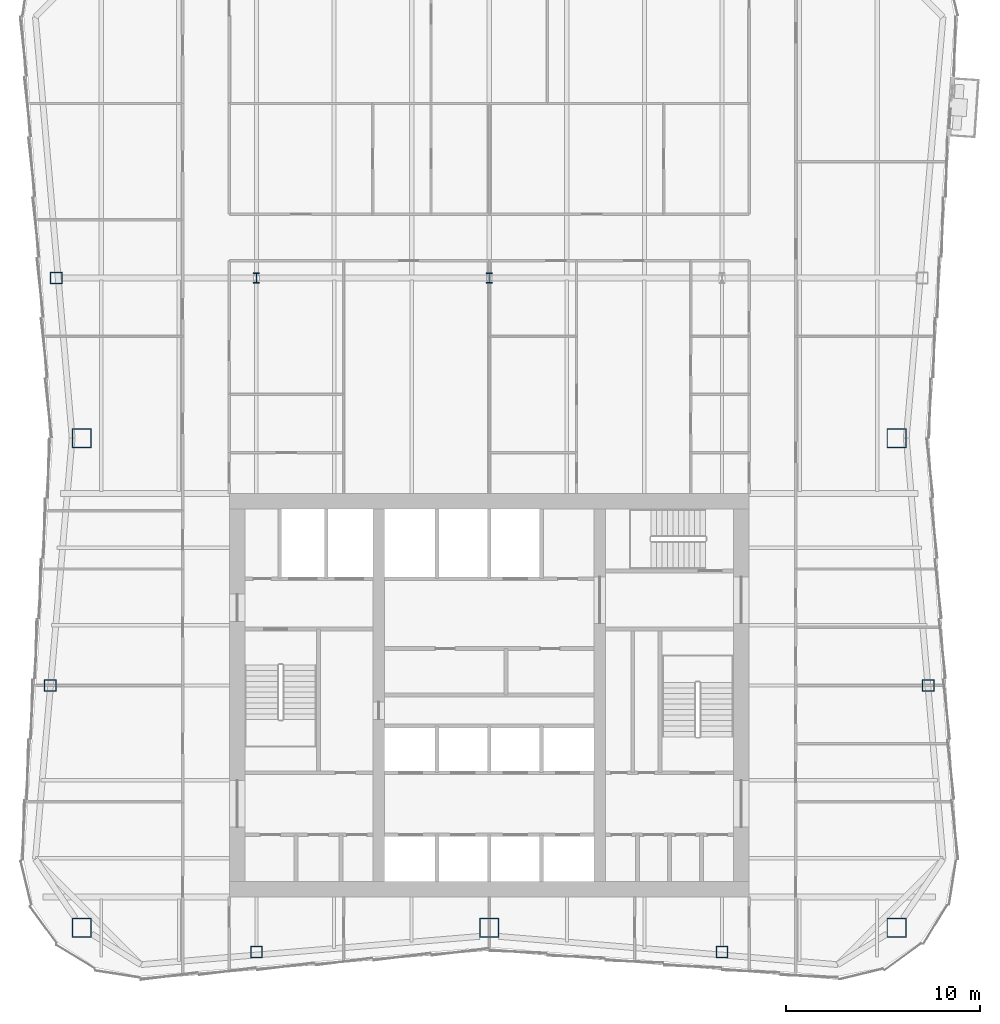
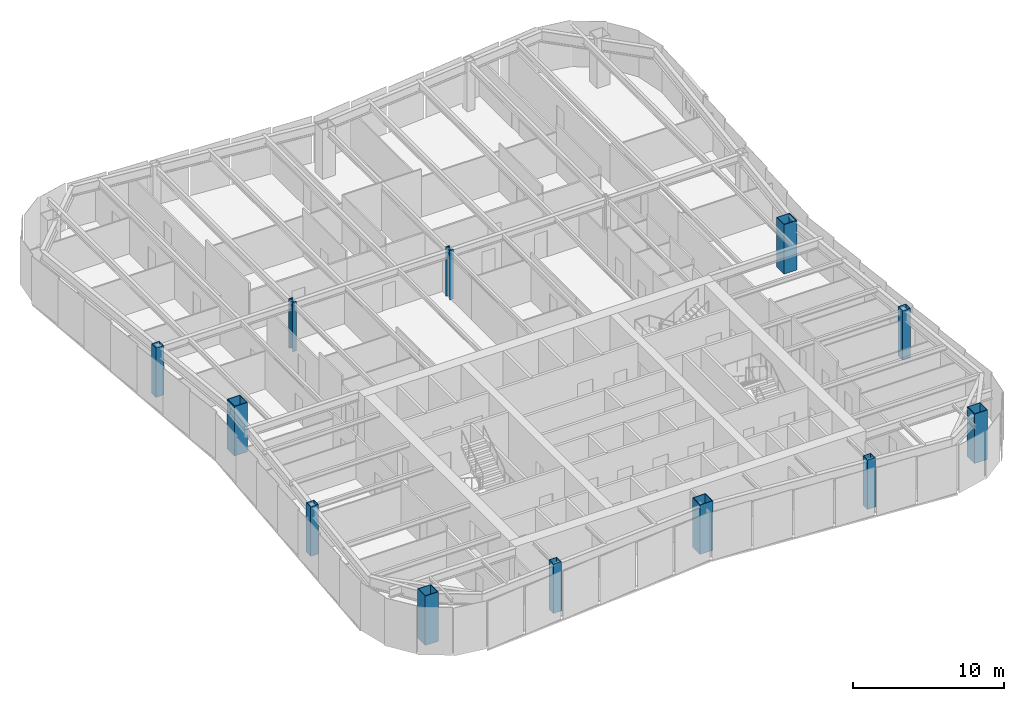
# One storey, part 1 of 12: 12 columns.
"""IFC4 building model written with IfcOpenShell, lengths in metres."""

import ifcopenshell
import ifcopenshell.guid

model = None  # the IFC model being written
_history = None  # IfcOwnerHistory: only IFC2X3 demands one
_inside = {}  # id of a spatial element -> (the spatial element, [elements in it])
_under = {}  # id of a project, library or spatial element -> (it, [spatial elements below it])
_declared = {}  # id of a project -> (the project, [libraries it declares])
_typed = {}  # id of a type object -> (the type object, [elements of that type])
_made_of = {}  # id of a material, layer set ... -> (it, [elements and type objects made of it])


def new_model(schema):
    """Start an empty IFC model of exactly this schema.

    Asked for "IFC4X3", IfcOpenShell would pick the latest addendum, in which some entities
    have other attributes; the version numbers below select the first issue.
    IFC2X3 requires an IfcOwnerHistory on every rooted entity: one is made here for all.
    """
    global model, _history
    if schema == "IFC4X3":
        model = ifcopenshell.file(schema_version=(4, 3, 0, 0))
    else:
        model = ifcopenshell.file(schema=schema)
    _inside.clear()
    _under.clear()
    _declared.clear()
    _typed.clear()
    _made_of.clear()
    _history = None
    if model.schema == "IFC2X3":
        org = make("IfcOrganization", Name="unknown")
        user = make(
            "IfcPersonAndOrganization",
            ThePerson=make("IfcPerson", FamilyName="unknown"),
            TheOrganization=org,
        )
        app = make(
            "IfcApplication",
            ApplicationDeveloper=org,
            Version="unknown",
            ApplicationFullName="unknown",
            ApplicationIdentifier="unknown",
        )
        _history = make(
            "IfcOwnerHistory",
            OwningUser=user,
            OwningApplication=app,
            ChangeAction="ADDED",
            CreationDate=0,
        )
    return model


def make(cls, **values):
    """One entity of the class cls with the attributes given. An attribute that is None is left unset."""
    return model.create_entity(
        cls, **{name: value for name, value in values.items() if value is not None}
    )


def rooted(cls, **values):
    """An entity with a GlobalId (a new one), such as an element, a storey or a relation."""
    return make(cls, GlobalId=ifcopenshell.guid.new(), OwnerHistory=_history, **values)


def si_unit(unit_type, name, prefix=None):
    """IfcSIUnit, for example si_unit("LENGTHUNIT", "METRE", prefix="MILLI")."""
    return make("IfcSIUnit", UnitType=unit_type, Prefix=prefix, Name=name)


def assignment(units):
    """IfcUnitAssignment: the units of a project."""
    return None if units is None else make("IfcUnitAssignment", Units=units)


def point(xyz):
    """IfcCartesianPoint."""
    return None if xyz is None else make("IfcCartesianPoint", Coordinates=xyz)


def direction(xyz):
    """IfcDirection."""
    return None if xyz is None else make("IfcDirection", DirectionRatios=xyz)


def frame(location, z_axis=None, x_axis=None):
    """IfcAxis2Placement3D, a coordinate frame: its origin and axes. An axis left out is left unset."""
    return make(
        "IfcAxis2Placement3D",
        Location=point(location),
        Axis=direction(z_axis),
        RefDirection=direction(x_axis),
    )


def frame_2d(location, x_axis=None):
    """IfcAxis2Placement2D, a coordinate frame in the plane: its origin and x axis."""
    return make(
        "IfcAxis2Placement2D", Location=point(location), RefDirection=direction(x_axis)
    )


def origin():
    """The frame at (0, 0, 0) with its axes left unset."""
    return frame((0.0, 0.0, 0.0))


def origin_2d():
    """The frame at (0, 0) in the plane with its x axis left unset."""
    return frame_2d((0.0, 0.0))


def place(relative_to, where):
    """IfcLocalPlacement: puts the frame where relative to a parent placement (None: the world)."""
    return make(
        "IfcLocalPlacement", PlacementRelTo=relative_to, RelativePlacement=where
    )


def context(
    kind, dimensions, precision=None, world=None, true_north=None, identifier=None
):
    """IfcGeometricRepresentationContext, for example the 3D "Model" context."""
    return make(
        "IfcGeometricRepresentationContext",
        ContextIdentifier=identifier,
        ContextType=kind,
        CoordinateSpaceDimension=dimensions,
        Precision=precision,
        WorldCoordinateSystem=world,
        TrueNorth=true_north,
    )


def subcontext(parent, identifier, kind, view, scale=None):
    """IfcGeometricRepresentationSubContext, for example "Body" below "Model"."""
    return make(
        "IfcGeometricRepresentationSubContext",
        ContextIdentifier=identifier,
        ContextType=kind,
        ParentContext=parent,
        TargetScale=scale,
        TargetView=view,
    )


def project(units=None, contexts=None):
    """IfcProject with its units and contexts."""
    return rooted(
        "IfcProject",
        Name="project",
        RepresentationContexts=contexts,
        UnitsInContext=assignment(units),
    )


def spatial(cls, under=None, at=None, **own):
    """A site, building, storey or space (cls), placed at a placement, below another one or the project."""
    s = rooted(cls, ObjectPlacement=at, **own)
    if under is not None:
        _under.setdefault(under.id(), (under, []))[1].append(s)
    return s


def profile(cls, at=None, kind="AREA", **sizes):
    """A parametric profile (cls). Its sizes go by their IFC names, for example OverallWidth=200.0."""
    return make(cls, ProfileType=kind, Position=at, **sizes)


def hollow_rectangle(**sizes):
    """IfcRectangleHollowProfileDef."""
    return profile("IfcRectangleHollowProfileDef", **sizes)


def i_section(**sizes):
    """IfcIShapeProfileDef."""
    return profile("IfcIShapeProfileDef", **sizes)


def extrude(swept, where, along, depth):
    """IfcExtrudedAreaSolid: the profile swept, set in the frame where, extruded along a direction by depth."""
    return make(
        "IfcExtrudedAreaSolid",
        SweptArea=swept,
        Position=where,
        ExtrudedDirection=direction(along),
        Depth=depth,
    )


def shape(context_of_items, identifier, shape_type, items):
    """IfcShapeRepresentation: the items that make up one representation, for example the "Body"."""
    return make(
        "IfcShapeRepresentation",
        ContextOfItems=context_of_items,
        RepresentationIdentifier=identifier,
        RepresentationType=shape_type,
        Items=items,
    )


def material(Name=None, Category=None):
    """IfcMaterial."""
    return make("IfcMaterial", Name=Name, Category=Category)


def material_profile(
    of_material, cross_section, Name=None, Category=None, Priority=None
):
    """IfcMaterialProfile: a cross section and its material."""
    return make(
        "IfcMaterialProfile",
        Name=Name,
        Material=of_material,
        Profile=cross_section,
        Priority=Priority,
        Category=Category,
    )


def profile_set(profiles, Name=None, composite=None):
    """IfcMaterialProfileSet."""
    return make(
        "IfcMaterialProfileSet",
        Name=Name,
        MaterialProfiles=profiles,
        CompositeProfile=composite,
    )


def made_of(thing, what):
    """Note that an element or type object is made of a material, layer set ...; save() writes the relation."""
    if what is not None:
        _made_of.setdefault(what.id(), (what, []))[1].append(thing)
    return thing


def type_object(cls, material=None, **own):
    """A type object (cls), such as IfcWallType, which elements share."""
    return made_of(rooted(cls, **own), material)


def element(
    cls,
    number,
    at=None,
    inside=None,
    cuts=None,
    type_object=None,
    material=None,
    context=None,
    identifier="Body",
    shape_type=None,
    held_by="IfcProductDefinitionShape",
    body=None,
    shapes=None,
    **own,
):
    """One element of the class cls, such as IfcWall. Its Tag is "e" and its number.

    at: its placement. inside: the storey or other place that contains it. cuts: it is an
    opening in that element (IfcRelVoidsElement). A single representation is given by context,
    identifier, shape_type and body (its items); several are given by shapes. held_by: the class
    of the entity that holds the representations. save() writes the other relations.
    """
    e = rooted(cls, Tag="e%d" % number, ObjectPlacement=at, **own)
    if body is not None:
        shapes = [shape(context, identifier, shape_type, body)]
    if shapes is not None:
        e.Representation = make(held_by, Representations=shapes)
    if inside is not None:
        _inside.setdefault(inside.id(), (inside, []))[1].append(e)
    if cuts is not None:
        rooted(
            "IfcRelVoidsElement", RelatingBuildingElement=cuts, RelatedOpeningElement=e
        )
    if type_object is not None:
        _typed.setdefault(type_object.id(), (type_object, []))[1].append(e)
    return made_of(e, material)


def aggregate(whole, parts):
    """IfcRelAggregates: a whole, such as a stair, and the parts it consists of."""
    return rooted("IfcRelAggregates", RelatingObject=whole, RelatedObjects=parts)


def save(model, path):
    """Write the relations noted so far, then the file.

    IfcRelAggregates (storeys below a building ...), IfcRelContainedInSpatialStructure (elements
    in a storey), IfcRelDefinesByType, IfcRelAssociatesMaterial and IfcRelDeclares: one each for
    every whole, place, type object, material and project.
    """
    for whole, parts in _under.values():
        aggregate(whole, parts)
    for where, things in _inside.values():
        rooted(
            "IfcRelContainedInSpatialStructure",
            RelatedElements=things,
            RelatingStructure=where,
        )
    for kind, things in _typed.values():
        rooted("IfcRelDefinesByType", RelatedObjects=things, RelatingType=kind)
    for what, things in _made_of.values():
        rooted("IfcRelAssociatesMaterial", RelatedObjects=things, RelatingMaterial=what)
    for by, libraries in _declared.values():
        rooted("IfcRelDeclares", RelatingContext=by, RelatedDefinitions=libraries)
    model.write(path)


model = new_model("IFC4")

# Units and contexts
model_context = context("Model", 3, precision=1e-05, world=origin(), true_north=direction((0.0, 1.0)))
body_context = subcontext(model_context, "Body", "Model", "MODEL_VIEW")
ifc_project = project(units=[si_unit("LENGTHUNIT", "METRE"), si_unit("AREAUNIT", "SQUARE_METRE"), si_unit("VOLUMEUNIT", "CUBIC_METRE"), si_unit("PLANEANGLEUNIT", "RADIAN"), si_unit("MASSUNIT", "GRAM", prefix="KILO")], contexts=[model_context])

# Site, building, storey
site_placement = place(None, origin())
site = spatial("IfcSite", under=ifc_project, at=site_placement, CompositionType="ELEMENT")
building_placement = place(site_placement, origin())
building = spatial("IfcBuilding", under=site, at=building_placement, Name="Verdant Reach Tower", CompositionType="ELEMENT")
storey_placement = place(building_placement, frame((0.0, 0.0, 266.0)))
storey = spatial("IfcBuildingStorey", under=building, at=storey_placement, Name="L61", CompositionType="ELEMENT", Elevation=266.0)

# Columns
ifc_material = material(Name="Steel S460", Category="steel")
ifc_material_profile_1 = material_profile(ifc_material, i_section(OverallWidth=0.305908203125, OverallDepth=0.52392578125, WebThickness=0.012451171875, FlangeThickness=0.0400390625, FilletRadius=0.027099609375, at=origin_2d()), Name="HEM 500")
ifc_profile_set_1 = profile_set([ifc_material_profile_1], Name="Steel S460")
column_type_1 = type_object("IfcColumnType", Name="ST-COL-HEM500", PredefinedType="COLUMN", material=ifc_profile_set_1)
for number, where, z_axis, x_axis, name in (
    (1, (-12.0, 49.5, 0.0), (0.0, 0.0, 1.0), (1.0, 0.0, 0.0), "Interior column 1, L61"),
    (2, (0.0, 49.5, 0.0), (0.0, 0.0, 1.0), (1.0, 0.0, 0.0), "Interior column 2, L61"),
):
    element("IfcColumn", number, at=place(storey_placement, frame(where, z_axis=z_axis, x_axis=x_axis)), inside=storey, type_object=column_type_1, Name=name, PredefinedType="COLUMN", context=body_context, shape_type="SweptSolid", body=[
        extrude(i_section(OverallWidth=0.305908203125, OverallDepth=0.52392578125, WebThickness=0.012451171875, FlangeThickness=0.0400390625, FilletRadius=0.027099609375, at=origin_2d()), origin(), (0.0, 0.0, 1.0), 4.0),
    ])
ifc_material_profile_2 = material_profile(ifc_material, hollow_rectangle(XDim=1.0, YDim=1.0, WallThickness=0.044921875, at=origin_2d()), Name="WB 1000x1000x45")
ifc_profile_set_2 = profile_set([ifc_material_profile_2], Name="Steel S460")
column_type_2 = type_object("IfcColumnType", Name="ST-COL-WB1000x1000x45", PredefinedType="COLUMN", material=ifc_profile_set_2)
for number, where, z_axis, x_axis, name in (
    (3, (21.0, 41.25, 0.0), (0.0, 0.0, 1.0), (1.0, 0.0, 0.0), "Mega column east, L61"),
    (4, (21.0, 16.0, 0.0), (0.0, 0.0, 1.0), (1.0, 0.0, 0.0), "Mega column south-east, L61"),
    (5, (0.0, 16.0, 0.0), (0.0, 0.0, 1.0), (1.0, 0.0, 0.0), "Mega column south, L61"),
    (6, (-21.0, 16.0, 0.0), (0.0, 0.0, 1.0), (1.0, 0.0, 0.0), "Mega column south-west, L61"),
    (7, (-21.0, 41.25, 0.0), (0.0, 0.0, 1.0), (1.0, 0.0, 0.0), "Mega column west, L61"),
):
    element("IfcColumn", number, at=place(storey_placement, frame(where, z_axis=z_axis, x_axis=x_axis)), inside=storey, type_object=column_type_2, Name=name, PredefinedType="COLUMN", context=body_context, shape_type="SweptSolid", body=[
        extrude(hollow_rectangle(XDim=1.0, YDim=1.0, WallThickness=0.044921875, at=origin_2d()), origin(), (0.0, 0.0, 1.0), 4.0),
    ])
ifc_material_profile_3 = material_profile(ifc_material, hollow_rectangle(XDim=0.60009765625, YDim=0.60009765625, WallThickness=0.02490234375, at=origin_2d()), Name="WB 600x600x25")
ifc_profile_set_3 = profile_set([ifc_material_profile_3], Name="Steel S460")
column_type_3 = type_object("IfcColumnType", Name="ST-COL-WB600x600x25", PredefinedType="COLUMN", material=ifc_profile_set_3)
for number, where, z_axis, x_axis, name in (
    (8, (-12.0, 14.75, 0.0), (0.0, 0.0, 1.0), (1.0, 0.0, 0.0), "Perimeter column south 1, L61"),
    (9, (12.0, 14.75, 0.0), (0.0, 0.0, 1.0), (1.0, 0.0, 0.0), "Perimeter column south 2, L61"),
    (10, (22.62939453125, 28.5, 0.0), (0.0, 0.0, 1.0), (1.0, 0.0, 0.0), "Perimeter column east 1, L61"),
    (11, (-22.62939453125, 28.5, 0.0), (0.0, 0.0, 1.0), (1.0, 0.0, 0.0), "Perimeter column west 1, L61"),
    (12, (-22.319091796875, 49.5, 0.0), (0.0, 0.0, 1.0), (1.0, 0.0, 0.0), "Perimeter column west 2, L61"),
):
    element("IfcColumn", number, at=place(storey_placement, frame(where, z_axis=z_axis, x_axis=x_axis)), inside=storey, type_object=column_type_3, Name=name, PredefinedType="COLUMN", context=body_context, shape_type="SweptSolid", body=[
        extrude(hollow_rectangle(XDim=0.60009765625, YDim=0.60009765625, WallThickness=0.02490234375, at=origin_2d()), origin(), (0.0, 0.0, 1.0), 4.0),
    ])

save(model, "model.ifc")
